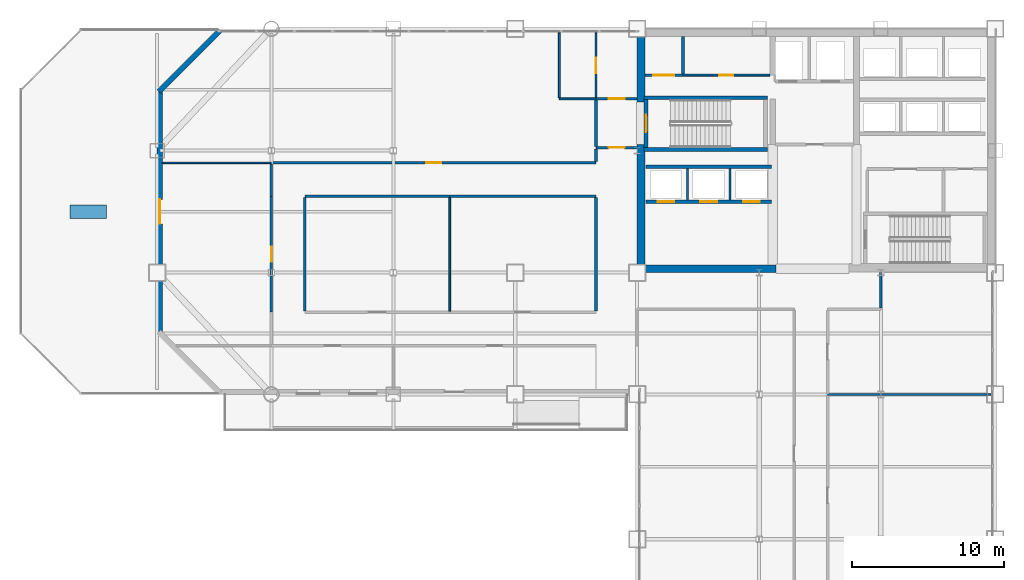
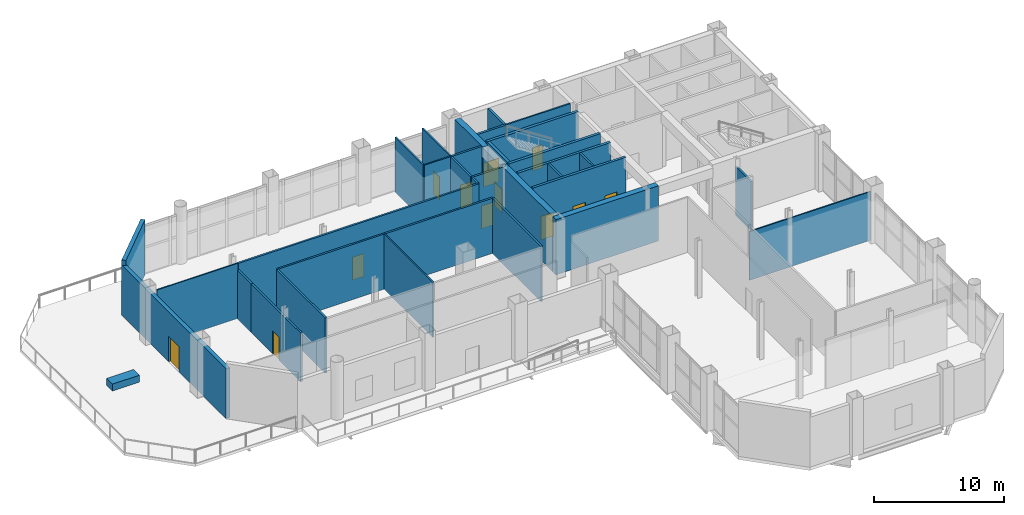
# One storey, part 19 of 22: 34 walls, 12 doors, 12 openings.
"""IFC4 building model written with IfcOpenShell, lengths in metres."""

import ifcopenshell
import ifcopenshell.guid

model = None  # the IFC model being written
_history = None  # IfcOwnerHistory: only IFC2X3 demands one
_inside = {}  # id of a spatial element -> (the spatial element, [elements in it])
_under = {}  # id of a project, library or spatial element -> (it, [spatial elements below it])
_declared = {}  # id of a project -> (the project, [libraries it declares])
_typed = {}  # id of a type object -> (the type object, [elements of that type])
_made_of = {}  # id of a material, layer set ... -> (it, [elements and type objects made of it])


def new_model(schema):
    """Start an empty IFC model of exactly this schema.

    Asked for "IFC4X3", IfcOpenShell would pick the latest addendum, in which some entities
    have other attributes; the version numbers below select the first issue.
    IFC2X3 requires an IfcOwnerHistory on every rooted entity: one is made here for all.
    """
    global model, _history
    if schema == "IFC4X3":
        model = ifcopenshell.file(schema_version=(4, 3, 0, 0))
    else:
        model = ifcopenshell.file(schema=schema)
    _inside.clear()
    _under.clear()
    _declared.clear()
    _typed.clear()
    _made_of.clear()
    _history = None
    if model.schema == "IFC2X3":
        org = make("IfcOrganization", Name="unknown")
        user = make(
            "IfcPersonAndOrganization",
            ThePerson=make("IfcPerson", FamilyName="unknown"),
            TheOrganization=org,
        )
        app = make(
            "IfcApplication",
            ApplicationDeveloper=org,
            Version="unknown",
            ApplicationFullName="unknown",
            ApplicationIdentifier="unknown",
        )
        _history = make(
            "IfcOwnerHistory",
            OwningUser=user,
            OwningApplication=app,
            ChangeAction="ADDED",
            CreationDate=0,
        )
    return model


def make(cls, **values):
    """One entity of the class cls with the attributes given. An attribute that is None is left unset."""
    return model.create_entity(
        cls, **{name: value for name, value in values.items() if value is not None}
    )


def rooted(cls, **values):
    """An entity with a GlobalId (a new one), such as an element, a storey or a relation."""
    return make(cls, GlobalId=ifcopenshell.guid.new(), OwnerHistory=_history, **values)


def si_unit(unit_type, name, prefix=None):
    """IfcSIUnit, for example si_unit("LENGTHUNIT", "METRE", prefix="MILLI")."""
    return make("IfcSIUnit", UnitType=unit_type, Prefix=prefix, Name=name)


def assignment(units):
    """IfcUnitAssignment: the units of a project."""
    return None if units is None else make("IfcUnitAssignment", Units=units)


def point(xyz):
    """IfcCartesianPoint."""
    return None if xyz is None else make("IfcCartesianPoint", Coordinates=xyz)


def direction(xyz):
    """IfcDirection."""
    return None if xyz is None else make("IfcDirection", DirectionRatios=xyz)


def frame(location, z_axis=None, x_axis=None):
    """IfcAxis2Placement3D, a coordinate frame: its origin and axes. An axis left out is left unset."""
    return make(
        "IfcAxis2Placement3D",
        Location=point(location),
        Axis=direction(z_axis),
        RefDirection=direction(x_axis),
    )


def frame_2d(location, x_axis=None):
    """IfcAxis2Placement2D, a coordinate frame in the plane: its origin and x axis."""
    return make(
        "IfcAxis2Placement2D", Location=point(location), RefDirection=direction(x_axis)
    )


def origin():
    """The frame at (0, 0, 0) with its axes left unset."""
    return frame((0.0, 0.0, 0.0))


def place(relative_to, where):
    """IfcLocalPlacement: puts the frame where relative to a parent placement (None: the world)."""
    return make(
        "IfcLocalPlacement", PlacementRelTo=relative_to, RelativePlacement=where
    )


def context(
    kind, dimensions, precision=None, world=None, true_north=None, identifier=None
):
    """IfcGeometricRepresentationContext, for example the 3D "Model" context."""
    return make(
        "IfcGeometricRepresentationContext",
        ContextIdentifier=identifier,
        ContextType=kind,
        CoordinateSpaceDimension=dimensions,
        Precision=precision,
        WorldCoordinateSystem=world,
        TrueNorth=true_north,
    )


def subcontext(parent, identifier, kind, view, scale=None):
    """IfcGeometricRepresentationSubContext, for example "Body" below "Model"."""
    return make(
        "IfcGeometricRepresentationSubContext",
        ContextIdentifier=identifier,
        ContextType=kind,
        ParentContext=parent,
        TargetScale=scale,
        TargetView=view,
    )


def project(units=None, contexts=None):
    """IfcProject with its units and contexts."""
    return rooted(
        "IfcProject",
        Name="project",
        RepresentationContexts=contexts,
        UnitsInContext=assignment(units),
    )


def spatial(cls, under=None, at=None, **own):
    """A site, building, storey or space (cls), placed at a placement, below another one or the project."""
    s = rooted(cls, ObjectPlacement=at, **own)
    if under is not None:
        _under.setdefault(under.id(), (under, []))[1].append(s)
    return s


def profile(cls, at=None, kind="AREA", **sizes):
    """A parametric profile (cls). Its sizes go by their IFC names, for example OverallWidth=200.0."""
    return make(cls, ProfileType=kind, Position=at, **sizes)


def rectangle(**sizes):
    """IfcRectangleProfileDef."""
    return profile("IfcRectangleProfileDef", **sizes)


def extrude(swept, where, along, depth):
    """IfcExtrudedAreaSolid: the profile swept, set in the frame where, extruded along a direction by depth."""
    return make(
        "IfcExtrudedAreaSolid",
        SweptArea=swept,
        Position=where,
        ExtrudedDirection=direction(along),
        Depth=depth,
    )


def shape(context_of_items, identifier, shape_type, items):
    """IfcShapeRepresentation: the items that make up one representation, for example the "Body"."""
    return make(
        "IfcShapeRepresentation",
        ContextOfItems=context_of_items,
        RepresentationIdentifier=identifier,
        RepresentationType=shape_type,
        Items=items,
    )


def material(Name=None, Category=None):
    """IfcMaterial."""
    return make("IfcMaterial", Name=Name, Category=Category)


def layer(
    of_material, thickness, ventilated=None, Name=None, Category=None, Priority=None
):
    """IfcMaterialLayer: one layer of a wall or slab, of a material (None: an air gap)."""
    return make(
        "IfcMaterialLayer",
        Material=of_material,
        LayerThickness=thickness,
        IsVentilated=ventilated,
        Name=Name,
        Category=Category,
        Priority=Priority,
    )


def layer_set(layers, Name=None):
    """IfcMaterialLayerSet."""
    return make("IfcMaterialLayerSet", MaterialLayers=layers, LayerSetName=Name)


def made_of(thing, what):
    """Note that an element or type object is made of a material, layer set ...; save() writes the relation."""
    if what is not None:
        _made_of.setdefault(what.id(), (what, []))[1].append(thing)
    return thing


def type_object(cls, material=None, **own):
    """A type object (cls), such as IfcWallType, which elements share."""
    return made_of(rooted(cls, **own), material)


def element(
    cls,
    number,
    at=None,
    inside=None,
    cuts=None,
    type_object=None,
    material=None,
    context=None,
    identifier="Body",
    shape_type=None,
    held_by="IfcProductDefinitionShape",
    body=None,
    shapes=None,
    **own,
):
    """One element of the class cls, such as IfcWall. Its Tag is "e" and its number.

    at: its placement. inside: the storey or other place that contains it. cuts: it is an
    opening in that element (IfcRelVoidsElement). A single representation is given by context,
    identifier, shape_type and body (its items); several are given by shapes. held_by: the class
    of the entity that holds the representations. save() writes the other relations.
    """
    e = rooted(cls, Tag="e%d" % number, ObjectPlacement=at, **own)
    if body is not None:
        shapes = [shape(context, identifier, shape_type, body)]
    if shapes is not None:
        e.Representation = make(held_by, Representations=shapes)
    if inside is not None:
        _inside.setdefault(inside.id(), (inside, []))[1].append(e)
    if cuts is not None:
        rooted(
            "IfcRelVoidsElement", RelatingBuildingElement=cuts, RelatedOpeningElement=e
        )
    if type_object is not None:
        _typed.setdefault(type_object.id(), (type_object, []))[1].append(e)
    return made_of(e, material)


def fill(opening, filler):
    """IfcRelFillsElement: the door or window that sits in an opening."""
    return rooted(
        "IfcRelFillsElement",
        RelatingOpeningElement=opening,
        RelatedBuildingElement=filler,
    )


def aggregate(whole, parts):
    """IfcRelAggregates: a whole, such as a stair, and the parts it consists of."""
    return rooted("IfcRelAggregates", RelatingObject=whole, RelatedObjects=parts)


def save(model, path):
    """Write the relations noted so far, then the file.

    IfcRelAggregates (storeys below a building ...), IfcRelContainedInSpatialStructure (elements
    in a storey), IfcRelDefinesByType, IfcRelAssociatesMaterial and IfcRelDeclares: one each for
    every whole, place, type object, material and project.
    """
    for whole, parts in _under.values():
        aggregate(whole, parts)
    for where, things in _inside.values():
        rooted(
            "IfcRelContainedInSpatialStructure",
            RelatedElements=things,
            RelatingStructure=where,
        )
    for kind, things in _typed.values():
        rooted("IfcRelDefinesByType", RelatedObjects=things, RelatingType=kind)
    for what, things in _made_of.values():
        rooted("IfcRelAssociatesMaterial", RelatedObjects=things, RelatingMaterial=what)
    for by, libraries in _declared.values():
        rooted("IfcRelDeclares", RelatingContext=by, RelatedDefinitions=libraries)
    model.write(path)


model = new_model("IFC4")

# Units and contexts
model_context = context("Model", 3, precision=1e-05, world=origin(), true_north=direction((0.0, 1.0)))
body_context = subcontext(model_context, "Body", "Model", "MODEL_VIEW")
ifc_project = project(units=[si_unit("LENGTHUNIT", "METRE"), si_unit("AREAUNIT", "SQUARE_METRE"), si_unit("VOLUMEUNIT", "CUBIC_METRE"), si_unit("PLANEANGLEUNIT", "RADIAN"), si_unit("MASSUNIT", "GRAM", prefix="KILO")], contexts=[model_context])

# Site, building, storey
site_placement = place(None, origin())
site = spatial("IfcSite", under=ifc_project, at=site_placement, CompositionType="ELEMENT")
building_placement = place(site_placement, origin())
building = spatial("IfcBuilding", under=site, at=building_placement, Name="Qianrong Seaharbour Tower", CompositionType="ELEMENT")
storey_placement = place(building_placement, frame((0.0, 0.0, 113.60009765625)))
storey = spatial("IfcBuildingStorey", under=building, at=storey_placement, Name="L27", CompositionType="ELEMENT", Elevation=113.60009765625)

# Walls
ifc_material_1 = material(Name="Concrete C60/75", Category="concrete")
ifc_layer_1 = layer(ifc_material_1, 0.5)
ifc_layer_set_1 = layer_set([ifc_layer_1], Name="Concrete C60/75")
wall_type_1 = type_object("IfcWallType", Name="WALL-CORE-500", PredefinedType="SHEAR", material=ifc_layer_set_1)
wall_1_placement = place(storey_placement, frame((40.75, 36.5, 0.0), z_axis=(0.0, 0.0, 1.0), x_axis=(0.0, 1.0, 0.0)))
element("IfcWall", 1, at=wall_1_placement, inside=storey, type_object=wall_type_1, Name="L27 West Core Shear Wall South", PredefinedType="SHEAR", context=body_context, shape_type="SweptSolid", body=[
    extrude(rectangle(XDim=7.89990234375, YDim=0.5, at=frame_2d((3.949951171875, 0.0))), origin(), (0.0, 0.0, 1.0), 5.164794921875),
])
wall_2_placement = place(storey_placement, frame((40.75, 47.199951171875, 0.0), z_axis=(0.0, 0.0, 1.0), x_axis=(0.0, 1.0, 0.0)))
element("IfcWall", 2, at=wall_2_placement, inside=storey, type_object=wall_type_1, Name="L27 West Core Shear Wall North", PredefinedType="SHEAR", context=body_context, shape_type="SweptSolid", body=[
    extrude(rectangle(XDim=4.300048828125, YDim=0.5, at=frame_2d((2.14990234375, 0.0))), origin(), (0.0, 0.0, 1.0), 5.164794921875),
])
wall_3_placement = place(storey_placement, frame((40.5, 36.25, 0.0), z_axis=(0.0, 0.0, 1.0), x_axis=(1.0, 0.0, 0.0)))
element("IfcWall", 3, at=wall_3_placement, inside=storey, type_object=wall_type_1, Name="L27 South Core Shear Wall S1", PredefinedType="SHEAR", context=body_context, shape_type="SweptSolid", body=[
    extrude(rectangle(XDim=9.10009765625, YDim=0.5, at=frame_2d((4.550048828125, 0.0))), origin(), (0.0, 0.0, 1.0), 5.164794921875),
])

# Wall, opening, door
ifc_material_2 = material(Name="Fire-rated acoustic gypsum board partition")
ifc_layer_2 = layer(ifc_material_2, 0.1650390625)
ifc_layer_set_2 = layer_set([ifc_layer_2], Name="Fire-rated acoustic gypsum board partition")
wall_type_2 = type_object("IfcWallType", Name="WALL-CORR-PART-165", PredefinedType="PARTITIONING", material=ifc_layer_set_2)
wall_4_placement = place(storey_placement, frame((37.800048828125, 47.39990234375, 0.0), z_axis=(0.0, 0.0, 1.0), x_axis=(1.0, 0.0, 0.0)))
wall_4 = element("IfcWall", 4, at=wall_4_placement, inside=storey, type_object=wall_type_2, Name="L27 Interior Partition Wall 001", PredefinedType="PARTITIONING", context=body_context, shape_type="SweptSolid", body=[
    extrude(rectangle(XDim=2.699951171875, YDim=0.1650390625, at=frame_2d((1.35009765625, 0.0))), origin(), (0.0, 0.0, 1.0), 5.164794921875),
])
opening_1_placement = place(wall_4_placement, frame((0.824951171875, 0.0, 0.0)))
opening_1 = element("IfcOpeningElement", 5, at=opening_1_placement, cuts=wall_4, Name="Opening DC-01", PredefinedType="OPENING", context=body_context, shape_type="SweptSolid", body=[
    extrude(rectangle(XDim=1.050048828125, YDim=2.14990234375, at=frame_2d((0.52490234375, 1.074951171875))), frame((0.0, 0.092529296875, 0.0), z_axis=(0.0, -1.0, 0.0), x_axis=(1.0, 0.0, 0.0)), (0.0, 0.0, 1.0), 0.18505859375),
])
ifc_material_3 = material(Name="Acoustic timber and galvanized steel fire door assembly", Category="steel")
door_type_1 = type_object("IfcDoorType", Name="DOOR-CORR-FD60-1050x2150", OperationType="NOTDEFINED", PredefinedType="DOOR", material=ifc_material_3)
door_1_placement = place(opening_1_placement, origin())
door_1 = element("IfcDoor", 6, at=door_1_placement, inside=storey, type_object=door_type_1, Name="L27 Smokeproof Stair Vestibule ST-1 Door", OperationType="SINGLE_SWING_LEFT", OverallHeight=2.14990234375, OverallWidth=1.050048828125, PredefinedType="DOOR", context=body_context, shape_type="SweptSolid", body=[
    extrude(rectangle(XDim=1.050048828125, YDim=2.14990234375, at=frame_2d((0.52490234375, 1.074951171875))), frame((0.0, 0.02490234375, 0.0), z_axis=(0.0, -1.0, 0.0), x_axis=(1.0, 0.0, 0.0)), (0.0, 0.0, 1.0), 0.050048828125),
])
fill(opening_1, door_1)

wall_5_placement = place(storey_placement, frame((40.5, 44.199951171875, 0.0), z_axis=(0.0, 0.0, 1.0), x_axis=(-1.0, 0.0, 0.0)))
wall_5 = element("IfcWall", 7, at=wall_5_placement, inside=storey, type_object=wall_type_2, Name="L27 Interior Partition Wall 002", PredefinedType="PARTITIONING", context=body_context, shape_type="SweptSolid", body=[
    extrude(rectangle(XDim=2.699951171875, YDim=0.1650390625, at=frame_2d((1.35009765625, 0.0))), origin(), (0.0, 0.0, 1.0), 5.164794921875),
])
opening_2_placement = place(wall_5_placement, frame((0.824951171875, 0.0, 0.0)))
opening_2 = element("IfcOpeningElement", 8, at=opening_2_placement, cuts=wall_5, Name="Opening DC-01", PredefinedType="OPENING", context=body_context, shape_type="SweptSolid", body=[
    extrude(rectangle(XDim=1.050048828125, YDim=2.14990234375, at=frame_2d((0.52490234375, 1.074951171875))), frame((0.0, 0.092529296875, 0.0), z_axis=(0.0, -1.0, 0.0), x_axis=(1.0, 0.0, 0.0)), (0.0, 0.0, 1.0), 0.18505859375),
])
door_2_placement = place(opening_2_placement, origin())
door_2 = element("IfcDoor", 9, at=door_2_placement, inside=storey, type_object=door_type_1, Name="L27 Smokeproof Stair Vestibule ST-1 Door", OperationType="SINGLE_SWING_RIGHT", OverallHeight=2.14990234375, OverallWidth=1.050048828125, PredefinedType="DOOR", context=body_context, shape_type="SweptSolid", body=[
    extrude(rectangle(XDim=1.050048828125, YDim=2.14990234375, at=frame_2d((0.52490234375, 1.074951171875))), frame((0.0, 0.02490234375, 0.0), z_axis=(0.0, -1.0, 0.0), x_axis=(1.0, 0.0, 0.0)), (0.0, 0.0, 1.0), 0.050048828125),
])
fill(opening_2, door_2)

# Wall
wall_6_placement = place(storey_placement, frame((37.800048828125, 44.2744140625, 0.0), z_axis=(0.0, 0.0, 1.0), x_axis=(0.0, 1.0, 0.0)))
element("IfcWall", 10, at=wall_6_placement, inside=storey, type_object=wall_type_2, Name="L27 Interior Partition Wall 003", PredefinedType="PARTITIONING", context=body_context, shape_type="SweptSolid", body=[
    extrude(rectangle(XDim=3.051025390625, YDim=0.1650390625, at=frame_2d((1.525390625, 0.0))), origin(), (0.0, 0.0, 1.0), 5.164794921875),
])

# Wall, opening, door
wall_7_placement = place(storey_placement, frame((16.5, 43.199951171875, 0.0), z_axis=(0.0, 0.0, 1.0), x_axis=(1.0, 0.0, 0.0)))
wall_7 = element("IfcWall", 11, at=wall_7_placement, inside=storey, type_object=wall_type_2, Name="L27 Interior Partition Wall 020", PredefinedType="PARTITIONING", context=body_context, shape_type="SweptSolid", body=[
    extrude(rectangle(XDim=21.300048828125, YDim=0.1650390625, at=frame_2d((10.64990234375, 0.0))), origin(), (0.0, 0.0, 1.0), 5.164794921875),
])
opening_3_placement = place(wall_7_placement, frame((10.14990234375, 0.0, 0.0)))
opening_3 = element("IfcOpeningElement", 12, at=opening_3_placement, cuts=wall_7, Name="Opening DO-01", PredefinedType="OPENING", context=body_context, shape_type="SweptSolid", body=[
    extrude(rectangle(XDim=1.0, YDim=2.14990234375, at=frame_2d((0.5, 1.074951171875))), frame((0.0, 0.092529296875, 0.0), z_axis=(0.0, -1.0, 0.0), x_axis=(1.0, 0.0, 0.0)), (0.0, 0.0, 1.0), 0.18505859375),
])
door_type_2 = type_object("IfcDoorType", Name="DOOR-OFFICE-1000x2150", OperationType="NOTDEFINED", PredefinedType="DOOR", material=ifc_material_3)
door_3_placement = place(opening_3_placement, origin())
door_3 = element("IfcDoor", 13, at=door_3_placement, inside=storey, type_object=door_type_2, Name="L27 Transfer Hub Open-Plan Office Door", OperationType="SINGLE_SWING_LEFT", OverallHeight=2.14990234375, OverallWidth=1.0, PredefinedType="DOOR", context=body_context, shape_type="SweptSolid", body=[
    extrude(rectangle(XDim=1.0, YDim=2.14990234375, at=frame_2d((0.5, 1.074951171875))), frame((0.0, 0.02490234375, 0.0), z_axis=(0.0, -1.0, 0.0), x_axis=(1.0, 0.0, 0.0)), (0.0, 0.0, 1.0), 0.050048828125),
])
fill(opening_3, door_3)

# Walls
wall_8_placement = place(storey_placement, frame((28.199951171875, 41.0, 0.0), z_axis=(0.0, 0.0, 1.0), x_axis=(-1.0, 0.0, 0.0)))
element("IfcWall", 14, at=wall_8_placement, inside=storey, type_object=wall_type_2, Name="L27 Interior Partition Wall 021", PredefinedType="PARTITIONING", context=body_context, shape_type="SweptSolid", body=[
    extrude(rectangle(XDim=9.5, YDim=0.1650390625, at=frame_2d((4.75, 0.0))), origin(), (0.0, 0.0, 1.0), 5.164794921875),
])
wall_9_placement = place(storey_placement, frame((37.800048828125, 41.0, 0.0), z_axis=(0.0, 0.0, 1.0), x_axis=(-1.0, 0.0, 0.0)))
element("IfcWall", 15, at=wall_9_placement, inside=storey, type_object=wall_type_2, Name="L27 Interior Partition Wall 022", PredefinedType="PARTITIONING", context=body_context, shape_type="SweptSolid", body=[
    extrude(rectangle(XDim=9.60009765625, YDim=0.1650390625, at=frame_2d((4.800048828125, 0.0))), origin(), (0.0, 0.0, 1.0), 5.164794921875),
])
wall_10_placement = place(storey_placement, frame((16.5, 41.0, 0.0), z_axis=(0.0, 0.0, 1.0), x_axis=(0.0, 1.0, 0.0)))
element("IfcWall", 16, at=wall_10_placement, inside=storey, type_object=wall_type_2, Name="L27 Interior Partition Wall 023", PredefinedType="PARTITIONING", context=body_context, shape_type="SweptSolid", body=[
    extrude(rectangle(XDim=2.12548828125, YDim=0.1650390625, at=frame_2d((1.062744140625, 0.0))), origin(), (0.0, 0.0, 1.0), 4.556884765625),
])
wall_11_placement = place(storey_placement, frame((18.699951171875, 40.925537109375, 0.0), z_axis=(0.0, 0.0, 1.0), x_axis=(0.0, -1.0, 0.0)))
element("IfcWall", 17, at=wall_11_placement, inside=storey, type_object=wall_type_2, Name="L27 Interior Partition Wall 024", PredefinedType="PARTITIONING", context=body_context, shape_type="SweptSolid", body=[
    extrude(rectangle(XDim=7.450927734375, YDim=0.1650390625, at=frame_2d((3.7255859375, 0.0))), origin(), (0.0, 0.0, 1.0), 5.164794921875),
])

# Wall, opening, door
wall_12_placement = place(storey_placement, frame((16.5, 33.39990234375, 0.0), z_axis=(0.0, 0.0, 1.0), x_axis=(0.0, 1.0, 0.0)))
wall_12 = element("IfcWall", 18, at=wall_12_placement, inside=storey, type_object=wall_type_2, Name="L27 Interior Partition Wall 025", PredefinedType="PARTITIONING", context=body_context, shape_type="SweptSolid", body=[
    extrude(rectangle(XDim=7.60009765625, YDim=0.1650390625, at=frame_2d((3.800048828125, 0.0))), origin(), (0.0, 0.0, 1.0), 4.556884765625),
])
opening_4_placement = place(wall_12_placement, frame((3.300048828125, 0.0, 0.0)))
opening_4 = element("IfcOpeningElement", 19, at=opening_4_placement, cuts=wall_12, Name="Opening DO-01", PredefinedType="OPENING", context=body_context, shape_type="SweptSolid", body=[
    extrude(rectangle(XDim=1.0, YDim=2.14990234375, at=frame_2d((0.5, 1.074951171875))), frame((0.0, 0.092529296875, 0.0), z_axis=(0.0, -1.0, 0.0), x_axis=(1.0, 0.0, 0.0)), (0.0, 0.0, 1.0), 0.18505859375),
])
door_4_placement = place(opening_4_placement, origin())
door_4 = element("IfcDoor", 20, at=door_4_placement, inside=storey, type_object=door_type_2, Name="L27 Maritime Reception Hall Door", OperationType="SINGLE_SWING_RIGHT", OverallHeight=2.14990234375, OverallWidth=1.0, PredefinedType="DOOR", context=body_context, shape_type="SweptSolid", body=[
    extrude(rectangle(XDim=1.0, YDim=2.14990234375, at=frame_2d((0.5, 1.074951171875))), frame((0.0, 0.02490234375, 0.0), z_axis=(0.0, -1.0, 0.0), x_axis=(1.0, 0.0, 0.0)), (0.0, 0.0, 1.0), 0.050048828125),
])
fill(opening_4, door_4)

# Walls
wall_13_placement = place(storey_placement, frame((37.800048828125, 43.2744140625, 0.0), z_axis=(0.0, 0.0, 1.0), x_axis=(0.0, 1.0, 0.0)))
element("IfcWall", 21, at=wall_13_placement, inside=storey, type_object=wall_type_2, Name="L27 Interior Partition Wall 026", PredefinedType="PARTITIONING", context=body_context, shape_type="SweptSolid", body=[
    extrude(rectangle(XDim=0.85107421875, YDim=0.1650390625, at=frame_2d((0.425537109375, 0.0))), origin(), (0.0, 0.0, 1.0), 5.164794921875),
])
wall_14_placement = place(storey_placement, frame((37.800048828125, 33.474609375, 0.0), z_axis=(0.0, 0.0, 1.0), x_axis=(0.0, 1.0, 0.0)))
element("IfcWall", 22, at=wall_14_placement, inside=storey, type_object=wall_type_2, Name="L27 Interior Partition Wall 027", PredefinedType="PARTITIONING", context=body_context, shape_type="SweptSolid", body=[
    extrude(rectangle(XDim=7.450927734375, YDim=0.1650390625, at=frame_2d((3.7255859375, 0.0))), origin(), (0.0, 0.0, 1.0), 5.164794921875),
])
wall_15_placement = place(storey_placement, frame((56.5, 36.0, 0.0), z_axis=(0.0, 0.0, 1.0), x_axis=(0.0, -1.0, 0.0)))
element("IfcWall", 23, at=wall_15_placement, inside=storey, type_object=wall_type_2, Name="L27 Interior Partition Wall 029", PredefinedType="PARTITIONING", context=body_context, shape_type="SweptSolid", body=[
    extrude(rectangle(XDim=2.325439453125, YDim=0.1650390625, at=frame_2d((1.16259765625, 0.0))), origin(), (0.0, 0.0, 1.0), 4.556884765625),
])
ifc_material_4 = material(Name="Demountable aluminium-framed acoustic office partition", Category="aluminium")
ifc_layer_3 = layer(ifc_material_4, 0.110107421875)
ifc_layer_set_3 = layer_set([ifc_layer_3], Name="Demountable aluminium-framed acoustic office partition")
wall_type_3 = type_object("IfcWallType", Name="WALL-DEMOUNT-110", PredefinedType="MOVABLE", material=ifc_layer_set_3)
wall_16_placement = place(storey_placement, frame((16.5, 43.199951171875, 0.0), z_axis=(0.0, 0.0, 1.0), x_axis=(-1.0, 0.0, 0.0)))
element("IfcWall", 24, at=wall_16_placement, inside=storey, type_object=wall_type_3, Name="L27 Interior Partition Wall 038", PredefinedType="MOVABLE", context=body_context, shape_type="SweptSolid", body=[
    extrude(rectangle(XDim=7.16796875, YDim=0.110107421875, at=frame_2d((3.583984375, 0.0))), origin(), (0.0, 0.0, 1.0), 5.164794921875),
])
wall_17_placement = place(storey_placement, frame((28.199951171875, 40.925537109375, 0.0), z_axis=(0.0, 0.0, 1.0), x_axis=(0.0, -1.0, 0.0)))
element("IfcWall", 25, at=wall_17_placement, inside=storey, type_object=wall_type_3, Name="L27 Interior Partition Wall 039", PredefinedType="MOVABLE", context=body_context, shape_type="SweptSolid", body=[
    extrude(rectangle(XDim=7.450927734375, YDim=0.110107421875, at=frame_2d((3.7255859375, 0.0))), origin(), (0.0, 0.0, 1.0), 5.164794921875),
])
wall_18_placement = place(storey_placement, frame((53.0, 28.0, 0.0), z_axis=(0.0, 0.0, 1.0), x_axis=(1.0, 0.0, 0.0)))
element("IfcWall", 26, at=wall_18_placement, inside=storey, type_object=wall_type_3, Name="L27 Interior Partition Wall 042", PredefinedType="MOVABLE", context=body_context, shape_type="SweptSolid", body=[
    extrude(rectangle(XDim=10.72802734375, YDim=0.110107421875, at=frame_2d((5.364013671875, 0.0))), origin(), (0.0, 0.0, 1.0), 4.556884765625),
])

# Wall, opening, door
ifc_material_5 = material(Name="Unitised buff brick on Precast concrete C45/55", Category="masonry")
ifc_layer_4 = layer(ifc_material_5, 0.340087890625)
ifc_layer_set_4 = layer_set([ifc_layer_4], Name="Unitised buff brick on Precast concrete C45/55")
wall_type_4 = type_object("IfcWallType", Name="WALL-EXT-BRICK-BUFF-340", PredefinedType="SOLIDWALL", material=ifc_layer_set_4)
wall_19_placement = place(storey_placement, frame((9.169921875, 32.0, 0.0), z_axis=(0.0, 0.0, 1.0), x_axis=(0.0, 1.0, 0.0)))
wall_19 = element("IfcWall", 27, at=wall_19_placement, inside=storey, type_object=wall_type_4, Name="L27 Exterior Masonry Facade Wall WEST_TIP", PredefinedType="SOLIDWALL", context=body_context, shape_type="SweptSolid", body=[
    extrude(rectangle(XDim=16.0, YDim=0.340087890625, at=frame_2d((8.0, 0.0))), origin(), (0.0, 0.0, 1.0), 4.664794921875),
])
opening_5_placement = place(wall_19_placement, frame((7.199951171875, 0.0, 0.0)))
opening_5 = element("IfcOpeningElement", 28, at=opening_5_placement, cuts=wall_19, Name="Opening D-TER2", PredefinedType="OPENING", context=body_context, shape_type="SweptSolid", body=[
    extrude(rectangle(XDim=1.60009765625, YDim=2.35009765625, at=frame_2d((0.800048828125, 1.175048828125))), frame((0.0, 0.18017578125, 0.0), z_axis=(0.0, -1.0, 0.0), x_axis=(1.0, 0.0, 0.0)), (0.0, 0.0, 1.0), 0.360107421875),
])
ifc_material_6 = material(Name="Insulated galvanized steel and laminated glass door assembly", Category="steel")
door_type_3 = type_object("IfcDoorType", Name="DOOR-EXT-GARDEN-1600x2350", OperationType="DOUBLE_DOOR_SINGLE_SWING", PredefinedType="DOOR", material=ifc_material_6)
door_5_placement = place(opening_5_placement, origin())
door_5 = element("IfcDoor", 29, at=door_5_placement, inside=storey, type_object=door_type_3, Name="L27 Sky Garden Terrace Access Door 3", OperationType="DOUBLE_DOOR_SINGLE_SWING", OverallHeight=2.35009765625, OverallWidth=1.60009765625, PredefinedType="DOOR", context=body_context, shape_type="SweptSolid", body=[
    extrude(rectangle(XDim=1.60009765625, YDim=2.35009765625, at=frame_2d((0.800048828125, 1.175048828125))), frame((0.0, 0.02490234375, 0.0), z_axis=(0.0, -1.0, 0.0), x_axis=(1.0, 0.0, 0.0)), (0.0, 0.0, 1.0), 0.050048828125),
])
fill(opening_5, door_5)

# Wall
wall_20_placement = place(storey_placement, frame((9.1201171875, 47.8798828125, 0.0), z_axis=(0.0, 0.0, 1.0), x_axis=(0.707106781187, 0.707106781187, 0.0)))
element("IfcWall", 30, at=wall_20_placement, inside=storey, type_object=wall_type_4, Name="L27 Exterior Masonry Facade Wall E04", PredefinedType="SOLIDWALL", context=body_context, shape_type="SweptSolid", body=[
    extrude(rectangle(XDim=5.65673828125, YDim=0.340087890625, at=frame_2d((2.828369140625, 0.0))), origin(), (0.0, 0.0, 1.0), 5.164794921875),
])

# Wall, opening, door
ifc_material_7 = material(Name="Double fire-rated gypsum board acoustic partition")
ifc_layer_5 = layer(ifc_material_7, 0.18994140625)
ifc_layer_set_5 = layer_set([ifc_layer_5], Name="Double fire-rated gypsum board acoustic partition")
wall_type_5 = type_object("IfcWallType", Name="WALL-FIRE-PART-190", PredefinedType="PARTITIONING", material=ifc_layer_set_5)
wall_21_placement = place(storey_placement, frame((41.0, 48.949951171875, 0.0), z_axis=(0.0, 0.0, 1.0), x_axis=(1.0, 0.0, 0.0)))
wall_21 = element("IfcWall", 31, at=wall_21_placement, inside=storey, type_object=wall_type_5, Name="L27 Interior Partition Wall 007", PredefinedType="PARTITIONING", context=body_context, shape_type="SweptSolid", body=[
    extrude(rectangle(XDim=2.5, YDim=0.18994140625, at=frame_2d((1.25, 0.0))), origin(), (0.0, 0.0, 1.0), 5.164794921875),
])
opening_6_placement = place(wall_21_placement, frame((0.550048828125, 0.0, 0.0)))
opening_6 = element("IfcOpeningElement", 32, at=opening_6_placement, cuts=wall_21, Name="Opening DP-01", PredefinedType="OPENING", context=body_context, shape_type="SweptSolid", body=[
    extrude(rectangle(XDim=1.39990234375, YDim=2.25, at=frame_2d((0.699951171875, 1.125))), frame((0.0, 0.10498046875, 0.0), z_axis=(0.0, -1.0, 0.0), x_axis=(1.0, 0.0, 0.0)), (0.0, 0.0, 1.0), 0.2099609375),
])
door_type_4 = type_object("IfcDoorType", Name="DOOR-PLANT-PAIR-1400x2250", OperationType="DOUBLE_DOOR_SINGLE_SWING", PredefinedType="DOOR", material=ifc_material_3)
door_6_placement = place(opening_6_placement, origin())
door_6 = element("IfcDoor", 33, at=door_6_placement, inside=storey, type_object=door_type_4, Name="L27 Core Electrical Closet Door", OperationType="DOUBLE_DOOR_SINGLE_SWING", OverallHeight=2.25, OverallWidth=1.39990234375, PredefinedType="DOOR", context=body_context, shape_type="SweptSolid", body=[
    extrude(rectangle(XDim=1.39990234375, YDim=2.25, at=frame_2d((0.699951171875, 1.125))), frame((0.0, 0.02490234375, 0.0), z_axis=(0.0, -1.0, 0.0), x_axis=(1.0, 0.0, 0.0)), (0.0, 0.0, 1.0), 0.050048828125),
])
fill(opening_6, door_6)

# Walls
wall_22_placement = place(storey_placement, frame((43.5, 51.5, 0.0), z_axis=(0.0, 0.0, 1.0), x_axis=(0.0, -1.0, 0.0)))
element("IfcWall", 34, at=wall_22_placement, inside=storey, type_object=wall_type_5, Name="L27 Interior Partition Wall 013", PredefinedType="PARTITIONING", context=body_context, shape_type="SweptSolid", body=[
    extrude(rectangle(XDim=2.462890625, YDim=0.18994140625, at=frame_2d((1.2314453125, 0.0))), origin(), (0.0, 0.0, 1.0), 5.164794921875),
])
ifc_material_8 = material(Name="White architectural precast concrete C45/55", Category="concrete")
ifc_layer_6 = layer(ifc_material_8, 0.89990234375)
ifc_layer_set_6 = layer_set([ifc_layer_6], Name="White architectural precast concrete C45/55")
wall_type_6 = type_object("IfcWallType", Name="WALL-PLANTER-KERB-210", PredefinedType="PARAPET", material=ifc_layer_set_6)
wall_23_placement = place(storey_placement, frame((3.2900390625, 40.0, 0.0), z_axis=(0.0, 0.0, 1.0), x_axis=(1.0, 0.0, 0.0)))
element("IfcWall", 35, at=wall_23_placement, inside=storey, type_object=wall_type_6, Name="L27 Sky Garden Structural Planter PLANTER 3", PredefinedType="PARAPET", context=body_context, shape_type="SweptSolid", body=[
    extrude(rectangle(XDim=2.39990234375, YDim=0.89990234375, at=frame_2d((1.199951171875, 0.0))), origin(), (0.0, 0.0, 1.0), 0.64990234375),
])
ifc_material_9 = material(Name="Fire-rated gypsum board on steel studs", Category="steel")
ifc_layer_7 = layer(ifc_material_9, 0.14990234375)
ifc_layer_set_7 = layer_set([ifc_layer_7], Name="Fire-rated gypsum board on steel studs")
wall_type_7 = type_object("IfcWallType", Name="WALL-SHAFT-DIV-150", PredefinedType="PARTITIONING", material=ifc_layer_set_7)
for number, where, z_axis, x_axis, name in (
    (36, (43.800048828125, 40.760009765625, 0.0), (0.0, 0.0, 1.0), (0.0, 1.0, 0.0), "L27 P2 Lift Hoistway Divider 2"),
    (37, (46.60009765625, 40.760009765625, 0.0), (0.0, 0.0, 1.0), (0.0, 1.0, 0.0), "L27 P2 Lift Hoistway Divider 3"),
):
    element("IfcWall", number, at=place(storey_placement, frame(where, z_axis=z_axis, x_axis=x_axis)), inside=storey, type_object=wall_type_7, Name=name, PredefinedType="PARTITIONING", context=body_context, shape_type="SweptSolid", body=[
        extrude(rectangle(XDim=2.080078125, YDim=0.14990234375, at=frame_2d((1.0400390625, 0.0))), origin(), (0.0, 0.0, 1.0), 5.164794921875),
    ])

# Wall, openings, doors
ifc_layer_8 = layer(ifc_material_9, 0.219970703125)
ifc_layer_set_8 = layer_set([ifc_layer_8], Name="Fire-rated gypsum board on steel studs")
wall_type_8 = type_object("IfcWallType", Name="WALL-SHAFT-GYP220", PredefinedType="PARTITIONING", material=ifc_layer_set_8)
wall_24_placement = place(storey_placement, frame((49.320068359375, 40.64990234375, 0.0), z_axis=(0.0, 0.0, 1.0), x_axis=(-1.0, 0.0, 0.0)))
wall_24 = element("IfcWall", 38, at=wall_24_placement, inside=storey, type_object=wall_type_8, Name="L27 P2 Lift Hoistway Front Wall", PredefinedType="PARTITIONING", context=body_context, shape_type="SweptSolid", body=[
    extrude(rectangle(XDim=8.239990234375, YDim=0.219970703125, at=frame_2d((4.1201171875, 0.0))), origin(), (0.0, 0.0, 1.0), 5.164794921875),
])
opening_7_placement = place(wall_24_placement, frame((6.3701171875, 0.0, 0.0)))
opening_7 = element("IfcOpeningElement", 39, at=opening_7_placement, cuts=wall_24, Name="Opening LD-02", PredefinedType="OPENING", context=body_context, shape_type="SweptSolid", body=[
    extrude(rectangle(XDim=1.10009765625, YDim=2.199951171875, at=frame_2d((0.550048828125, 1.10009765625))), frame((0.0, 0.1201171875, 0.0), z_axis=(0.0, -1.0, 0.0), x_axis=(1.0, 0.0, 0.0)), (0.0, 0.0, 1.0), 0.239990234375),
])
opening_8_placement = place(wall_24_placement, frame((3.570068359375, 0.0, 0.0)))
opening_8 = element("IfcOpeningElement", 40, at=opening_8_placement, cuts=wall_24, Name="Opening LD-02", PredefinedType="OPENING", context=body_context, shape_type="SweptSolid", body=[
    extrude(rectangle(XDim=1.10009765625, YDim=2.199951171875, at=frame_2d((0.550048828125, 1.10009765625))), frame((0.0, 0.1201171875, 0.0), z_axis=(0.0, -1.0, 0.0), x_axis=(1.0, 0.0, 0.0)), (0.0, 0.0, 1.0), 0.239990234375),
])
opening_9_placement = place(wall_24_placement, frame((0.77001953125, 0.0, 0.0)))
opening_9 = element("IfcOpeningElement", 41, at=opening_9_placement, cuts=wall_24, Name="Opening LD-02", PredefinedType="OPENING", context=body_context, shape_type="SweptSolid", body=[
    extrude(rectangle(XDim=1.10009765625, YDim=2.199951171875, at=frame_2d((0.550048828125, 1.10009765625))), frame((0.0, 0.1201171875, 0.0), z_axis=(0.0, -1.0, 0.0), x_axis=(1.0, 0.0, 0.0)), (0.0, 0.0, 1.0), 0.239990234375),
])
ifc_material_10 = material(Name="Stainless steel SUS316L bi-parting lift landing door", Category="steel")
door_type_5 = type_object("IfcDoorType", Name="DOOR-LIFT-PASS-1100x2200", OperationType="DOUBLE_DOOR_SLIDING", PredefinedType="DOOR", material=ifc_material_10)
door_7_placement = place(opening_7_placement, origin())
door_7 = element("IfcDoor", 42, at=door_7_placement, inside=storey, type_object=door_type_5, Name="L27 PL-2A Lift Landing Door", OperationType="DOUBLE_DOOR_SLIDING", OverallHeight=2.199951171875, OverallWidth=1.10009765625, PredefinedType="DOOR", context=body_context, shape_type="SweptSolid", body=[
    extrude(rectangle(XDim=1.10009765625, YDim=2.199951171875, at=frame_2d((0.550048828125, 1.10009765625))), frame((0.0, 0.02490234375, 0.0), z_axis=(0.0, -1.0, 0.0), x_axis=(1.0, 0.0, 0.0)), (0.0, 0.0, 1.0), 0.050048828125),
])
fill(opening_7, door_7)
door_8_placement = place(opening_8_placement, origin())
door_8 = element("IfcDoor", 43, at=door_8_placement, inside=storey, type_object=door_type_5, Name="L27 PL-2B Lift Landing Door", OperationType="DOUBLE_DOOR_SLIDING", OverallHeight=2.199951171875, OverallWidth=1.10009765625, PredefinedType="DOOR", context=body_context, shape_type="SweptSolid", body=[
    extrude(rectangle(XDim=1.10009765625, YDim=2.199951171875, at=frame_2d((0.550048828125, 1.10009765625))), frame((0.0, 0.02490234375, 0.0), z_axis=(0.0, -1.0, 0.0), x_axis=(1.0, 0.0, 0.0)), (0.0, 0.0, 1.0), 0.050048828125),
])
fill(opening_8, door_8)
door_9_placement = place(opening_9_placement, origin())
door_9 = element("IfcDoor", 44, at=door_9_placement, inside=storey, type_object=door_type_5, Name="L27 PL-2C Lift Landing Door", OperationType="DOUBLE_DOOR_SLIDING", OverallHeight=2.199951171875, OverallWidth=1.10009765625, PredefinedType="DOOR", context=body_context, shape_type="SweptSolid", body=[
    extrude(rectangle(XDim=1.10009765625, YDim=2.199951171875, at=frame_2d((0.550048828125, 1.10009765625))), frame((0.0, 0.02490234375, 0.0), z_axis=(0.0, -1.0, 0.0), x_axis=(1.0, 0.0, 0.0)), (0.0, 0.0, 1.0), 0.050048828125),
])
fill(opening_9, door_9)

# Walls
wall_25_placement = place(storey_placement, frame((41.080078125, 42.949951171875, 0.0), z_axis=(0.0, 0.0, 1.0), x_axis=(1.0, 0.0, 0.0)))
element("IfcWall", 45, at=wall_25_placement, inside=storey, type_object=wall_type_8, Name="L27 P2 Lift Hoistway Back Wall", PredefinedType="PARTITIONING", context=body_context, shape_type="SweptSolid", body=[
    extrude(rectangle(XDim=8.239990234375, YDim=0.219970703125, at=frame_2d((4.1201171875, 0.0))), origin(), (0.0, 0.0, 1.0), 5.164794921875),
])
ifc_material_11 = material(Name="Concrete C50/60", Category="concrete")
ifc_layer_9 = layer(ifc_material_11, 0.239990234375)
ifc_layer_set_9 = layer_set([ifc_layer_9], Name="Concrete C50/60")
wall_type_9 = type_object("IfcWallType", Name="WALL-SHAFT-RC240", PredefinedType="SOLIDWALL", material=ifc_layer_set_9)
for number, where, z_axis, x_axis, name in (
    (46, (40.9599609375, 47.469970703125, 0.0), (0.0, 0.0, 1.0), (1.0, 0.0, 0.0), "L27 ST-1 Structural Stair Core Wall N"),
    (47, (49.0400390625, 44.080078125, 0.0), (0.0, 0.0, 1.0), (-1.0, 0.0, 0.0), "L27 ST-1 Structural Stair Core Wall S"),
):
    element("IfcWall", number, at=place(storey_placement, frame(where, z_axis=z_axis, x_axis=x_axis)), inside=storey, type_object=wall_type_9, Name=name, PredefinedType="SOLIDWALL", context=body_context, shape_type="SweptSolid", body=[
        extrude(rectangle(XDim=8.080078125, YDim=0.239990234375, at=frame_2d((4.0400390625, 0.0))), origin(), (0.0, 0.0, 1.0), 5.39990234375),
    ])

# Wall, opening, door
wall_26_placement = place(storey_placement, frame((41.080078125, 47.35009765625, 0.0), z_axis=(0.0, 0.0, 1.0), x_axis=(0.0, -1.0, 0.0)))
wall_26 = element("IfcWall", 48, at=wall_26_placement, inside=storey, type_object=wall_type_9, Name="L27 ST-1 Structural Stair Core Wall W", PredefinedType="SOLIDWALL", context=body_context, shape_type="SweptSolid", body=[
    extrude(rectangle(XDim=3.150146484375, YDim=0.239990234375, at=frame_2d((1.5751953125, 0.0))), origin(), (0.0, 0.0, 1.0), 5.39990234375),
])
opening_10_placement = place(wall_26_placement, frame((1.0, 0.0, 0.0)))
opening_10 = element("IfcOpeningElement", 49, at=opening_10_placement, cuts=wall_26, Name="Opening SD-01", PredefinedType="OPENING", context=body_context, shape_type="SweptSolid", body=[
    extrude(rectangle(XDim=1.14990234375, YDim=2.199951171875, at=frame_2d((0.574951171875, 1.10009765625))), frame((0.0, 0.1298828125, 0.0), z_axis=(0.0, -1.0, 0.0), x_axis=(1.0, 0.0, 0.0)), (0.0, 0.0, 1.0), 0.260009765625),
])
door_type_6 = type_object("IfcDoorType", Name="DOOR-STAIR-FD60-1150x2200", OperationType="NOTDEFINED", PredefinedType="DOOR", material=ifc_material_3)
door_10_placement = place(opening_10_placement, origin())
door_10 = element("IfcDoor", 50, at=door_10_placement, inside=storey, type_object=door_type_6, Name="L27 ST-1 Protected Stair Door", OperationType="SINGLE_SWING_RIGHT", OverallHeight=2.199951171875, OverallWidth=1.14990234375, PredefinedType="DOOR", context=body_context, shape_type="SweptSolid", body=[
    extrude(rectangle(XDim=1.14990234375, YDim=2.199951171875, at=frame_2d((0.574951171875, 1.10009765625))), frame((0.0, 0.02490234375, 0.0), z_axis=(0.0, -1.0, 0.0), x_axis=(1.0, 0.0, 0.0)), (0.0, 0.0, 1.0), 0.050048828125),
])
fill(opening_10, door_10)

ifc_material_12 = material(Name="Water-resistant cement board sanitary partition")
ifc_layer_10 = layer(ifc_material_12, 0.1298828125)
ifc_layer_set_10 = layer_set([ifc_layer_10], Name="Water-resistant cement board sanitary partition")
wall_type_10 = type_object("IfcWallType", Name="WALL-WET-PART-130", PredefinedType="PARTITIONING", material=ifc_layer_set_10)
wall_27_placement = place(storey_placement, frame((37.800048828125, 47.474609375, 0.0), z_axis=(0.0, 0.0, 1.0), x_axis=(0.0, 1.0, 0.0)))
wall_27 = element("IfcWall", 51, at=wall_27_placement, inside=storey, type_object=wall_type_10, Name="L27 Interior Partition Wall 004", PredefinedType="PARTITIONING", context=body_context, shape_type="SweptSolid", body=[
    extrude(rectangle(XDim=4.25341796875, YDim=0.1298828125, at=frame_2d((2.126708984375, 0.0))), origin(), (0.0, 0.0, 1.0), 5.164794921875),
])
opening_11_placement = place(wall_27_placement, frame((1.61669921875, 0.0, 0.0)))
opening_11 = element("IfcOpeningElement", 52, at=opening_11_placement, cuts=wall_27, Name="Opening DAW-01", PredefinedType="OPENING", context=body_context, shape_type="SweptSolid", body=[
    extrude(rectangle(XDim=1.02001953125, YDim=2.14990234375, at=frame_2d((0.510009765625, 1.074951171875))), frame((0.0, 0.074951171875, 0.0), z_axis=(0.0, -1.0, 0.0), x_axis=(1.0, 0.0, 0.0)), (0.0, 0.0, 1.0), 0.14990234375),
])
door_type_7 = type_object("IfcDoorType", Name="DOOR-AWC-SLIDE-1020x2150", OperationType="SLIDING_TO_LEFT", PredefinedType="DOOR", material=ifc_material_3)
door_11_placement = place(opening_11_placement, origin())
door_11 = element("IfcDoor", 53, at=door_11_placement, inside=storey, type_object=door_type_7, Name="L27 Accessible Restroom WC Door", OperationType="SLIDING_TO_LEFT", OverallHeight=2.14990234375, OverallWidth=1.02001953125, PredefinedType="DOOR", context=body_context, shape_type="SweptSolid", body=[
    extrude(rectangle(XDim=1.02001953125, YDim=2.14990234375, at=frame_2d((0.510009765625, 1.074951171875))), frame((0.0, 0.02490234375, 0.0), z_axis=(0.0, -1.0, 0.0), x_axis=(1.0, 0.0, 0.0)), (0.0, 0.0, 1.0), 0.050048828125),
])
fill(opening_11, door_11)

# Walls
wall_28_placement = place(storey_placement, frame((37.800048828125, 47.39990234375, 0.0), z_axis=(0.0, 0.0, 1.0), x_axis=(-1.0, 0.0, 0.0)))
element("IfcWall", 54, at=wall_28_placement, inside=storey, type_object=wall_type_10, Name="L27 Interior Partition Wall 005", PredefinedType="PARTITIONING", context=body_context, shape_type="SweptSolid", body=[
    extrude(rectangle(XDim=2.400146484375, YDim=0.1298828125, at=frame_2d((1.2001953125, 0.0))), origin(), (0.0, 0.0, 1.0), 5.164794921875),
])
wall_29_placement = place(storey_placement, frame((35.39990234375, 47.45703125, 0.0), z_axis=(0.0, 0.0, 1.0), x_axis=(0.0, 1.0, 0.0)))
element("IfcWall", 55, at=wall_29_placement, inside=storey, type_object=wall_type_10, Name="L27 Interior Partition Wall 006", PredefinedType="PARTITIONING", context=body_context, shape_type="SweptSolid", body=[
    extrude(rectangle(XDim=4.27099609375, YDim=0.1298828125, at=frame_2d((2.135498046875, 0.0))), origin(), (0.0, 0.0, 1.0), 5.164794921875),
])

# Wall, opening, door
wall_30_placement = place(storey_placement, frame((43.5, 48.949951171875, 0.0), z_axis=(0.0, 0.0, 1.0), x_axis=(1.0, 0.0, 0.0)))
wall_30 = element("IfcWall", 56, at=wall_30_placement, inside=storey, type_object=wall_type_10, Name="L27 Interior Partition Wall 008", PredefinedType="PARTITIONING", context=body_context, shape_type="SweptSolid", body=[
    extrude(rectangle(XDim=5.718017578125, YDim=0.1298828125, at=frame_2d((2.85888671875, 0.0))), origin(), (0.0, 0.0, 1.0), 5.164794921875),
])
opening_12_placement = place(wall_30_placement, frame((2.39892578125, 0.0, 0.0)))
opening_12 = element("IfcOpeningElement", 57, at=opening_12_placement, cuts=wall_30, Name="Opening DW-01", PredefinedType="OPENING", context=body_context, shape_type="SweptSolid", body=[
    extrude(rectangle(XDim=0.919921875, YDim=2.14990234375, at=frame_2d((0.4599609375, 1.074951171875))), frame((0.0, 0.074951171875, 0.0), z_axis=(0.0, -1.0, 0.0), x_axis=(1.0, 0.0, 0.0)), (0.0, 0.0, 1.0), 0.14990234375),
])
door_type_8 = type_object("IfcDoorType", Name="DOOR-WC-920x2150", OperationType="NOTDEFINED", PredefinedType="DOOR", material=ifc_material_3)
door_12_placement = place(opening_12_placement, origin())
door_12 = element("IfcDoor", 58, at=door_12_placement, inside=storey, type_object=door_type_8, Name="L27 Staff Restroom WC Door", OperationType="SINGLE_SWING_LEFT", OverallHeight=2.14990234375, OverallWidth=0.919921875, PredefinedType="DOOR", context=body_context, shape_type="SweptSolid", body=[
    extrude(rectangle(XDim=0.919921875, YDim=2.14990234375, at=frame_2d((0.4599609375, 1.074951171875))), frame((0.0, 0.02490234375, 0.0), z_axis=(0.0, -1.0, 0.0), x_axis=(1.0, 0.0, 0.0)), (0.0, 0.0, 1.0), 0.050048828125),
])
fill(opening_12, door_12)

save(model, "model.ifc")
